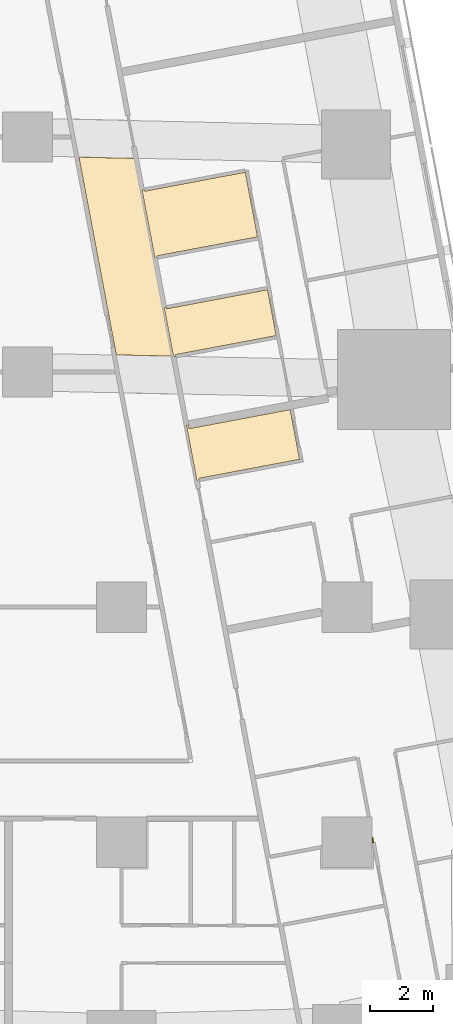
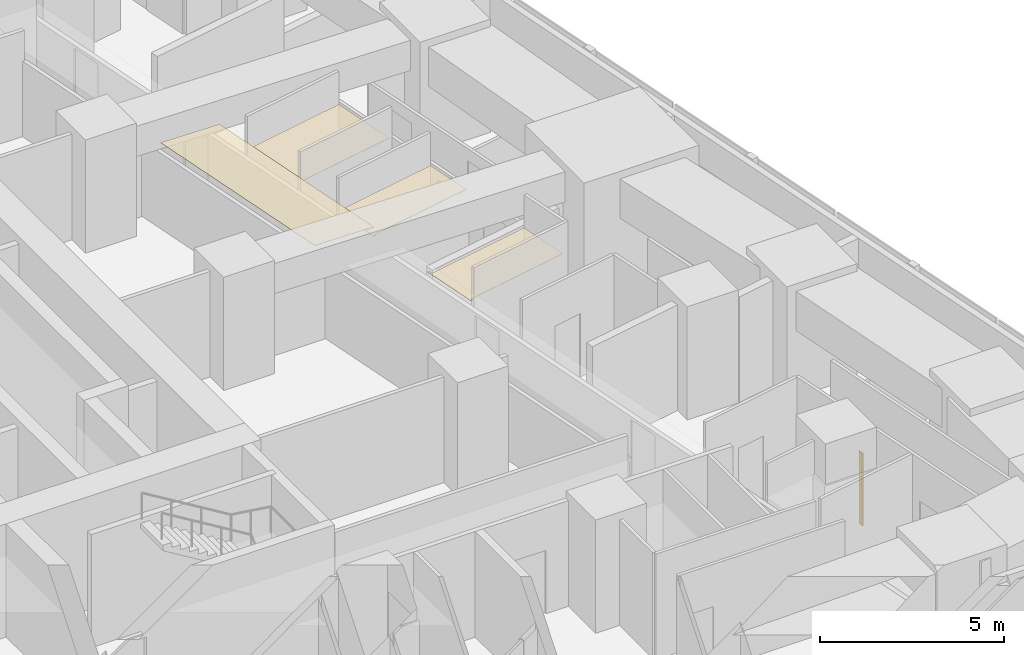
# One storey, part 14 of 15: 5 coverings.
"""IFC4 building model written with IfcOpenShell, lengths in metres."""

from ifc_helpers import new_model, si_unit, direction, frame, origin, place, context, subcontext, project, spatial, polyline, outline, extrude, material, layer, layer_set, type_object, element, save


model = new_model("IFC4")

# Units and contexts
model_context = context("Model", 3, precision=1e-05, world=origin(), true_north=direction((0.0, 1.0)))
body_context = subcontext(model_context, "Body", "Model", "MODEL_VIEW")
ifc_project = project(units=[si_unit("LENGTHUNIT", "METRE"), si_unit("AREAUNIT", "SQUARE_METRE"), si_unit("VOLUMEUNIT", "CUBIC_METRE"), si_unit("PLANEANGLEUNIT", "RADIAN"), si_unit("MASSUNIT", "GRAM", prefix="KILO")], contexts=[model_context])

# Site, building, storey
site_placement = place(None, origin())
site = spatial("IfcSite", under=ifc_project, at=site_placement, CompositionType="ELEMENT")
building_placement = place(site_placement, origin())
building = spatial("IfcBuilding", under=site, at=building_placement, Name="Sheger Commons Tower", CompositionType="ELEMENT")
storey_placement = place(building_placement, frame((0.0, 0.0, 107.89990234375)))
storey = spatial("IfcBuildingStorey", under=building, at=storey_placement, Name="L27", CompositionType="ELEMENT", Elevation=107.89990234375)

# Coverings
ifc_material_1 = material(Name="Moisture-resistant gypsum plasterboard 15 mm on a suspended galvanised steel grid", Category="steel")
ifc_layer_1 = layer(ifc_material_1, 0.014892578125)
ifc_layer_set_1 = layer_set([ifc_layer_1], Name="MOISTURE-RESISTANT CEILING 15")
covering_type_1 = type_object("IfcCoveringType", Name="MOISTURE-RESISTANT CEILING 15", PredefinedType="CEILING", material=ifc_layer_set_1)
covering_1_placement = place(storey_placement, frame((0.0, 0.0, 2.400146484375)))
element("IfcCovering", 1, at=covering_1_placement, inside=storey, type_object=covering_type_1, Name="L27-09.B1 ceiling", PredefinedType="CEILING", context=body_context, shape_type="SweptSolid", body=[
    extrude(outline(polyline([(37.06689453125, 26.138916015625), (37.135986328125, 26.152099609375), (37.1259765625, 26.2060546875), (40.343017578125, 26.81396484375), (39.952880859375, 28.8779296875), (36.736083984375, 28.26904296875), (36.72607421875, 28.322998046875), (36.656982421875, 28.31005859375), (37.06689453125, 26.138916015625)])), origin(), (0.0, 0.0, 1.0), 0.014892578125),
])
covering_2_placement = place(storey_placement, frame((0.0, 0.0, 2.400146484375)))
element("IfcCovering", 2, at=covering_2_placement, inside=storey, type_object=covering_type_1, Name="L27-09.B2 ceiling", PredefinedType="CEILING", context=body_context, shape_type="SweptSolid", body=[
    extrude(outline(polyline([(37.662109375, 22.989013671875), (37.73095703125, 23.001953125), (37.720947265625, 23.055908203125), (40.93896484375, 23.6630859375), (40.662109375, 25.1279296875), (37.444091796875, 24.52001953125), (37.43408203125, 24.573974609375), (37.364990234375, 24.56103515625), (37.662109375, 22.989013671875)])), origin(), (0.0, 0.0, 1.0), 0.014892578125),
])
covering_3_placement = place(storey_placement, frame((0.0, 0.0, 2.400146484375)))
element("IfcCovering", 3, at=covering_3_placement, inside=storey, type_object=covering_type_1, Name="L27-10.B1 ceiling", PredefinedType="CEILING", context=body_context, shape_type="SweptSolid", body=[
    extrude(outline(polyline([(38.406982421875, 19.0419921875), (38.47607421875, 19.054931640625), (38.466064453125, 19.10888671875), (41.68408203125, 19.716064453125), (41.384033203125, 21.303955078125), (38.166015625, 20.696044921875), (38.14208984375, 20.823974609375), (38.072998046875, 20.81103515625), (38.406982421875, 19.0419921875)])), origin(), (0.0, 0.0, 1.0), 0.014892578125),
])
ifc_material_2 = material(Name="Gypsum plasterboard 15 mm on a suspended steel grid", Category="steel")
ifc_layer_2 = layer(ifc_material_2, 0.014892578125)
ifc_layer_set_2 = layer_set([ifc_layer_2], Name="SUSPENDED CEILING 15")
covering_type_2 = type_object("IfcCoveringType", Name="SUSPENDED CEILING 15", PredefinedType="CEILING", material=ifc_layer_set_2)
covering_4_placement = place(storey_placement, frame((0.0, 0.0, 2.7001953125)))
element("IfcCovering", 4, at=covering_4_placement, inside=storey, type_object=covering_type_2, Name="L27-CO ceiling", PredefinedType="CEILING", context=body_context, shape_type="SweptSolid", body=[
    extrude(outline(polyline([(37.657958984375, 23.010986328125), (36.466064453125, 29.31591796875), (34.64501953125, 29.35791015625), (35.8369140625, 23.048095703125), (37.657958984375, 23.010986328125)])), origin(), (0.0, 0.0, 1.0), 0.014892578125),
])
ifc_material_3 = material(Name="Moisture-resistant gypsum board 12.5 mm on 25 mm treated timber battens, tanked and tiled", Category="wood")
ifc_layer_3 = layer(ifc_material_3, 0.050048828125)
ifc_layer_set_3 = layer_set([ifc_layer_3], Name="WET-ROOM COLUMN LINING")
covering_type_3 = type_object("IfcCoveringType", Name="WET-ROOM COLUMN LINING", PredefinedType="CLADDING", material=ifc_layer_set_3)
covering_5_placement = place(storey_placement, origin())
element("IfcCovering", 5, at=covering_5_placement, inside=storey, type_object=covering_type_3, Name="Bathroom column lining C9 L27", PredefinedType="CLADDING", context=body_context, shape_type="SweptSolid", body=[
    extrude(outline(polyline([(44.0, 7.652099609375), (44.01806640625, 7.655029296875), (44.049072265625, 7.489990234375), (44.0, 7.48095703125), (44.0, 7.652099609375)])), origin(), (0.0, 0.0, 1.0), 2.400146484375),
])

save(model, "model.ifc")
